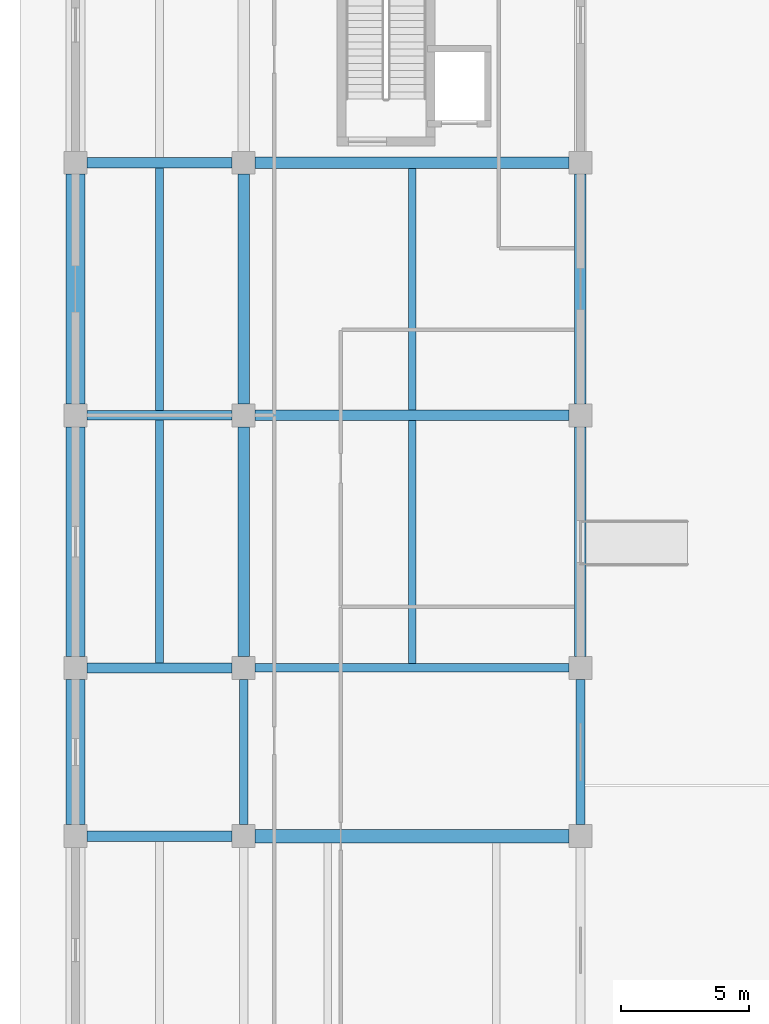
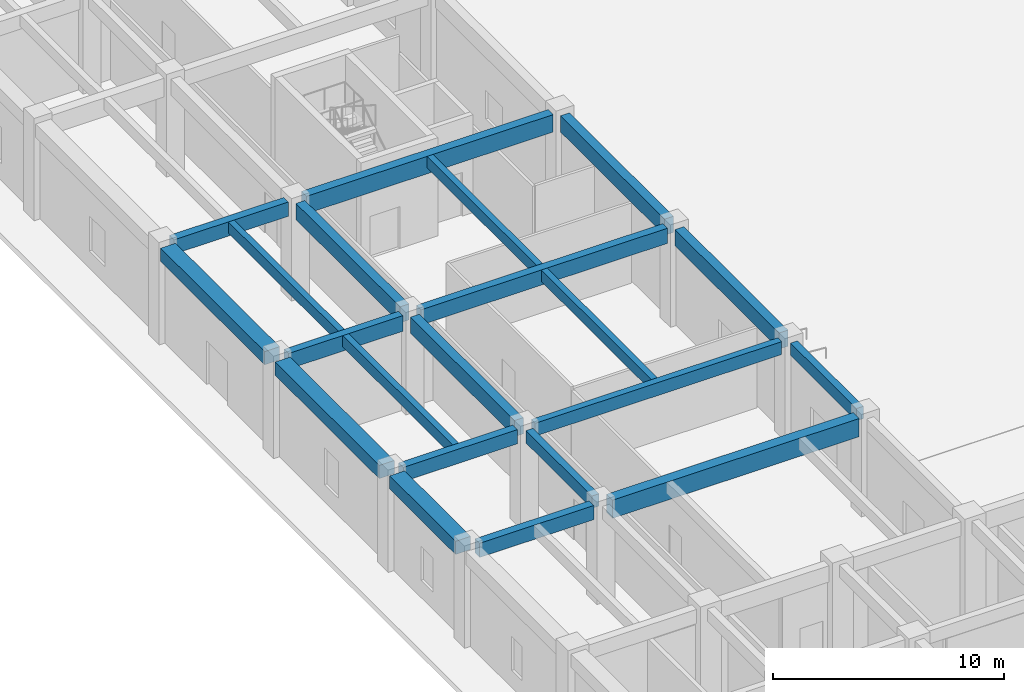
# One storey, part 13 of 70: 21 beams.
"""IFC4 building model written with IfcOpenShell, lengths in metres."""

import ifcopenshell
import ifcopenshell.guid

model = None  # the IFC model being written
_history = None  # IfcOwnerHistory: only IFC2X3 demands one
_inside = {}  # id of a spatial element -> (the spatial element, [elements in it])
_under = {}  # id of a project, library or spatial element -> (it, [spatial elements below it])
_declared = {}  # id of a project -> (the project, [libraries it declares])
_typed = {}  # id of a type object -> (the type object, [elements of that type])
_made_of = {}  # id of a material, layer set ... -> (it, [elements and type objects made of it])


def new_model(schema):
    """Start an empty IFC model of exactly this schema.

    Asked for "IFC4X3", IfcOpenShell would pick the latest addendum, in which some entities
    have other attributes; the version numbers below select the first issue.
    IFC2X3 requires an IfcOwnerHistory on every rooted entity: one is made here for all.
    """
    global model, _history
    if schema == "IFC4X3":
        model = ifcopenshell.file(schema_version=(4, 3, 0, 0))
    else:
        model = ifcopenshell.file(schema=schema)
    _inside.clear()
    _under.clear()
    _declared.clear()
    _typed.clear()
    _made_of.clear()
    _history = None
    if model.schema == "IFC2X3":
        org = make("IfcOrganization", Name="unknown")
        user = make(
            "IfcPersonAndOrganization",
            ThePerson=make("IfcPerson", FamilyName="unknown"),
            TheOrganization=org,
        )
        app = make(
            "IfcApplication",
            ApplicationDeveloper=org,
            Version="unknown",
            ApplicationFullName="unknown",
            ApplicationIdentifier="unknown",
        )
        _history = make(
            "IfcOwnerHistory",
            OwningUser=user,
            OwningApplication=app,
            ChangeAction="ADDED",
            CreationDate=0,
        )
    return model


def make(cls, **values):
    """One entity of the class cls with the attributes given. An attribute that is None is left unset."""
    return model.create_entity(
        cls, **{name: value for name, value in values.items() if value is not None}
    )


def rooted(cls, **values):
    """An entity with a GlobalId (a new one), such as an element, a storey or a relation."""
    return make(cls, GlobalId=ifcopenshell.guid.new(), OwnerHistory=_history, **values)


def si_unit(unit_type, name, prefix=None):
    """IfcSIUnit, for example si_unit("LENGTHUNIT", "METRE", prefix="MILLI")."""
    return make("IfcSIUnit", UnitType=unit_type, Prefix=prefix, Name=name)


def assignment(units):
    """IfcUnitAssignment: the units of a project."""
    return None if units is None else make("IfcUnitAssignment", Units=units)


def point(xyz):
    """IfcCartesianPoint."""
    return None if xyz is None else make("IfcCartesianPoint", Coordinates=xyz)


def direction(xyz):
    """IfcDirection."""
    return None if xyz is None else make("IfcDirection", DirectionRatios=xyz)


def frame(location, z_axis=None, x_axis=None):
    """IfcAxis2Placement3D, a coordinate frame: its origin and axes. An axis left out is left unset."""
    return make(
        "IfcAxis2Placement3D",
        Location=point(location),
        Axis=direction(z_axis),
        RefDirection=direction(x_axis),
    )


def frame_2d(location, x_axis=None):
    """IfcAxis2Placement2D, a coordinate frame in the plane: its origin and x axis."""
    return make(
        "IfcAxis2Placement2D", Location=point(location), RefDirection=direction(x_axis)
    )


def origin():
    """The frame at (0, 0, 0) with its axes left unset."""
    return frame((0.0, 0.0, 0.0))


def origin_2d():
    """The frame at (0, 0) in the plane with its x axis left unset."""
    return frame_2d((0.0, 0.0))


def place(relative_to, where):
    """IfcLocalPlacement: puts the frame where relative to a parent placement (None: the world)."""
    return make(
        "IfcLocalPlacement", PlacementRelTo=relative_to, RelativePlacement=where
    )


def context(
    kind, dimensions, precision=None, world=None, true_north=None, identifier=None
):
    """IfcGeometricRepresentationContext, for example the 3D "Model" context."""
    return make(
        "IfcGeometricRepresentationContext",
        ContextIdentifier=identifier,
        ContextType=kind,
        CoordinateSpaceDimension=dimensions,
        Precision=precision,
        WorldCoordinateSystem=world,
        TrueNorth=true_north,
    )


def subcontext(parent, identifier, kind, view, scale=None):
    """IfcGeometricRepresentationSubContext, for example "Body" below "Model"."""
    return make(
        "IfcGeometricRepresentationSubContext",
        ContextIdentifier=identifier,
        ContextType=kind,
        ParentContext=parent,
        TargetScale=scale,
        TargetView=view,
    )


def project(units=None, contexts=None):
    """IfcProject with its units and contexts."""
    return rooted(
        "IfcProject",
        Name="project",
        RepresentationContexts=contexts,
        UnitsInContext=assignment(units),
    )


def spatial(cls, under=None, at=None, **own):
    """A site, building, storey or space (cls), placed at a placement, below another one or the project."""
    s = rooted(cls, ObjectPlacement=at, **own)
    if under is not None:
        _under.setdefault(under.id(), (under, []))[1].append(s)
    return s


def profile(cls, at=None, kind="AREA", **sizes):
    """A parametric profile (cls). Its sizes go by their IFC names, for example OverallWidth=200.0."""
    return make(cls, ProfileType=kind, Position=at, **sizes)


def rectangle(**sizes):
    """IfcRectangleProfileDef."""
    return profile("IfcRectangleProfileDef", **sizes)


def extrude(swept, where, along, depth):
    """IfcExtrudedAreaSolid: the profile swept, set in the frame where, extruded along a direction by depth."""
    return make(
        "IfcExtrudedAreaSolid",
        SweptArea=swept,
        Position=where,
        ExtrudedDirection=direction(along),
        Depth=depth,
    )


def shape(context_of_items, identifier, shape_type, items):
    """IfcShapeRepresentation: the items that make up one representation, for example the "Body"."""
    return make(
        "IfcShapeRepresentation",
        ContextOfItems=context_of_items,
        RepresentationIdentifier=identifier,
        RepresentationType=shape_type,
        Items=items,
    )


def material(Name=None, Category=None):
    """IfcMaterial."""
    return make("IfcMaterial", Name=Name, Category=Category)


def material_profile(
    of_material, cross_section, Name=None, Category=None, Priority=None
):
    """IfcMaterialProfile: a cross section and its material."""
    return make(
        "IfcMaterialProfile",
        Name=Name,
        Material=of_material,
        Profile=cross_section,
        Priority=Priority,
        Category=Category,
    )


def profile_set(profiles, Name=None, composite=None):
    """IfcMaterialProfileSet."""
    return make(
        "IfcMaterialProfileSet",
        Name=Name,
        MaterialProfiles=profiles,
        CompositeProfile=composite,
    )


def made_of(thing, what):
    """Note that an element or type object is made of a material, layer set ...; save() writes the relation."""
    if what is not None:
        _made_of.setdefault(what.id(), (what, []))[1].append(thing)
    return thing


def type_object(cls, material=None, **own):
    """A type object (cls), such as IfcWallType, which elements share."""
    return made_of(rooted(cls, **own), material)


def element(
    cls,
    number,
    at=None,
    inside=None,
    cuts=None,
    type_object=None,
    material=None,
    context=None,
    identifier="Body",
    shape_type=None,
    held_by="IfcProductDefinitionShape",
    body=None,
    shapes=None,
    **own,
):
    """One element of the class cls, such as IfcWall. Its Tag is "e" and its number.

    at: its placement. inside: the storey or other place that contains it. cuts: it is an
    opening in that element (IfcRelVoidsElement). A single representation is given by context,
    identifier, shape_type and body (its items); several are given by shapes. held_by: the class
    of the entity that holds the representations. save() writes the other relations.
    """
    e = rooted(cls, Tag="e%d" % number, ObjectPlacement=at, **own)
    if body is not None:
        shapes = [shape(context, identifier, shape_type, body)]
    if shapes is not None:
        e.Representation = make(held_by, Representations=shapes)
    if inside is not None:
        _inside.setdefault(inside.id(), (inside, []))[1].append(e)
    if cuts is not None:
        rooted(
            "IfcRelVoidsElement", RelatingBuildingElement=cuts, RelatedOpeningElement=e
        )
    if type_object is not None:
        _typed.setdefault(type_object.id(), (type_object, []))[1].append(e)
    return made_of(e, material)


def aggregate(whole, parts):
    """IfcRelAggregates: a whole, such as a stair, and the parts it consists of."""
    return rooted("IfcRelAggregates", RelatingObject=whole, RelatedObjects=parts)


def save(model, path):
    """Write the relations noted so far, then the file.

    IfcRelAggregates (storeys below a building ...), IfcRelContainedInSpatialStructure (elements
    in a storey), IfcRelDefinesByType, IfcRelAssociatesMaterial and IfcRelDeclares: one each for
    every whole, place, type object, material and project.
    """
    for whole, parts in _under.values():
        aggregate(whole, parts)
    for where, things in _inside.values():
        rooted(
            "IfcRelContainedInSpatialStructure",
            RelatedElements=things,
            RelatingStructure=where,
        )
    for kind, things in _typed.values():
        rooted("IfcRelDefinesByType", RelatedObjects=things, RelatingType=kind)
    for what, things in _made_of.values():
        rooted("IfcRelAssociatesMaterial", RelatedObjects=things, RelatingMaterial=what)
    for by, libraries in _declared.values():
        rooted("IfcRelDeclares", RelatingContext=by, RelatedDefinitions=libraries)
    model.write(path)


model = new_model("IFC4")

# Units and contexts
model_context = context("Model", 3, precision=1e-05, world=origin(), true_north=direction((0.0, 1.0)))
body_context = subcontext(model_context, "Body", "Model", "MODEL_VIEW")
ifc_project = project(units=[si_unit("LENGTHUNIT", "METRE"), si_unit("AREAUNIT", "SQUARE_METRE"), si_unit("VOLUMEUNIT", "CUBIC_METRE"), si_unit("PLANEANGLEUNIT", "RADIAN"), si_unit("MASSUNIT", "GRAM", prefix="KILO")], contexts=[model_context])

# Site, building, storey
site_placement = place(None, origin())
site = spatial("IfcSite", under=ifc_project, at=site_placement, CompositionType="ELEMENT")
building_placement = place(site_placement, origin())
building = spatial("IfcBuilding", under=site, at=building_placement, Name="Miralva Faculty of Natural Sciences", CompositionType="ELEMENT")
storey_placement = place(building_placement, origin())
storey = spatial("IfcBuildingStorey", under=building, at=storey_placement, Name="L00", CompositionType="ELEMENT", Elevation=0.0)

# Beams
ifc_material = material(Name="Concrete C40/50", Category="concrete")
ifc_material_profile_1 = material_profile(ifc_material, rectangle(XDim=0.449951171875, YDim=0.85009765625, at=origin_2d()), Name="RC 450x850")
ifc_profile_set_1 = profile_set([ifc_material_profile_1], Name="Concrete C40/50")
beam_type_1 = type_object("IfcBeamType", Name="BM-B01", PredefinedType="BEAM", material=ifc_profile_set_1)
for number, where, z_axis, x_axis, name in (
    (1, (9.60009765625, 46.050048828125, 4.655029296875), (0.0, 1.0, 0.0), (-1.0, 0.0, 0.0), "Girder NS L00-129"),
    (2, (9.60009765625, 55.949951171875, 4.655029296875), (0.0, 1.0, 0.0), (-1.0, 0.0, 0.0), "Girder NS L00-130"),
    (3, (22.800048828125, 46.050048828125, 4.655029296875), (0.0, 1.0, 0.0), (-1.0, 0.0, 0.0), "Girder NS L00-145"),
    (4, (22.800048828125, 55.949951171875, 4.655029296875), (0.0, 1.0, 0.0), (-1.0, 0.0, 0.0), "Girder NS L00-146"),
):
    element("IfcBeam", number, at=place(storey_placement, frame(where, z_axis=z_axis, x_axis=x_axis)), inside=storey, type_object=beam_type_1, Name=name, PredefinedType="BEAM", context=body_context, shape_type="SweptSolid", body=[
        extrude(rectangle(XDim=0.449951171875, YDim=0.85009765625, at=origin_2d()), origin(), (0.0, 0.0, 1.0), 9.0),
    ])
ifc_material_profile_2 = material_profile(ifc_material, rectangle(XDim=0.39990234375, YDim=0.800048828125, at=origin_2d()), Name="RC 400x800")
ifc_profile_set_2 = profile_set([ifc_material_profile_2], Name="Concrete C40/50")
beam_type_2 = type_object("IfcBeamType", Name="BM-B02", PredefinedType="BEAM", material=ifc_profile_set_2)
beam_1_placement = place(storey_placement, frame((10.050048828125, 55.5, 4.679931640625), z_axis=(1.0, 0.0, 0.0), x_axis=(0.0, 1.0, 0.0)))
element("IfcBeam", 5, at=beam_1_placement, inside=storey, type_object=beam_type_2, Name="Girder EW L00-52", PredefinedType="BEAM", context=body_context, shape_type="SweptSolid", body=[
    extrude(rectangle(XDim=0.39990234375, YDim=0.800048828125, at=origin_2d()), origin(), (0.0, 0.0, 1.0), 12.300048828125),
])
ifc_material_profile_3 = material_profile(ifc_material, rectangle(XDim=0.39990234375, YDim=0.75, at=origin_2d()), Name="RC 400x750")
ifc_profile_set_3 = profile_set([ifc_material_profile_3], Name="Concrete C40/50")
beam_type_3 = type_object("IfcBeamType", Name="BM-B03", PredefinedType="BEAM", material=ifc_profile_set_3)
for number, where, z_axis, x_axis, name in (
    (6, (3.449951171875, 39.0, 4.705078125), (1.0, 0.0, 0.0), (0.0, 1.0, 0.0), "Girder EW L00-40"),
    (7, (3.449951171875, 45.60009765625, 4.705078125), (1.0, 0.0, 0.0), (0.0, 1.0, 0.0), "Girder EW L00-46"),
    (8, (3.449951171875, 65.39990234375, 4.705078125), (1.0, 0.0, 0.0), (0.0, 1.0, 0.0), "Girder EW L00-56"),
):
    element("IfcBeam", number, at=place(storey_placement, frame(where, z_axis=z_axis, x_axis=x_axis)), inside=storey, type_object=beam_type_3, Name=name, PredefinedType="BEAM", context=body_context, shape_type="SweptSolid", body=[
        extrude(rectangle(XDim=0.39990234375, YDim=0.75, at=origin_2d()), origin(), (0.0, 0.0, 1.0), 5.699951171875),
    ])
ifc_material_profile_4 = material_profile(ifc_material, rectangle(XDim=0.35009765625, YDim=0.64990234375, at=origin_2d()), Name="RC 350x650")
ifc_profile_set_4 = profile_set([ifc_material_profile_4], Name="Concrete C40/50")
beam_type_4 = type_object("IfcBeamType", Name="BM-B05", PredefinedType="BEAM", material=ifc_profile_set_4)
for number, where, z_axis, x_axis, name in (
    (9, (9.60009765625, 39.449951171875, 4.7548828125), (0.0, 1.0, 0.0), (-1.0, 0.0, 0.0), "Girder NS L00-128"),
    (10, (22.800048828125, 39.449951171875, 4.7548828125), (0.0, 1.0, 0.0), (-1.0, 0.0, 0.0), "Girder NS L00-144"),
):
    element("IfcBeam", number, at=place(storey_placement, frame(where, z_axis=z_axis, x_axis=x_axis)), inside=storey, type_object=beam_type_4, Name=name, PredefinedType="BEAM", context=body_context, shape_type="SweptSolid", body=[
        extrude(rectangle(XDim=0.35009765625, YDim=0.64990234375, at=origin_2d()), origin(), (0.0, 0.0, 1.0), 5.699951171875),
    ])
ifc_material_profile_5 = material_profile(ifc_material, rectangle(XDim=0.340087890625, YDim=0.679931640625, at=origin_2d()), Name="RC 340x680")
ifc_profile_set_5 = profile_set([ifc_material_profile_5], Name="Concrete C40/50")
beam_type_5 = type_object("IfcBeamType", Name="BM-BG04", PredefinedType="BEAM", material=ifc_profile_set_5)
beam_2_placement = place(storey_placement, frame((10.050048828125, 45.60009765625, 4.739990234375), z_axis=(1.0, 0.0, 0.0), x_axis=(0.0, 1.0, 0.0)))
element("IfcBeam", 11, at=beam_2_placement, inside=storey, type_object=beam_type_5, Name="Girder EW L00-47", PredefinedType="BEAM", context=body_context, shape_type="SweptSolid", body=[
    extrude(rectangle(XDim=0.340087890625, YDim=0.679931640625, at=origin_2d()), origin(), (0.0, 0.0, 1.0), 12.300048828125),
])
ifc_material_profile_6 = material_profile(ifc_material, rectangle(XDim=0.3798828125, YDim=0.820068359375, at=origin_2d()), Name="RC 380x820")
ifc_profile_set_6 = profile_set([ifc_material_profile_6], Name="Concrete C40/50")
beam_type_6 = type_object("IfcBeamType", Name="BM-BG08", PredefinedType="BEAM", material=ifc_profile_set_6)
beam_3_placement = place(storey_placement, frame((3.449951171875, 55.5, 4.669921875), z_axis=(1.0, 0.0, 0.0), x_axis=(0.0, 1.0, 0.0)))
element("IfcBeam", 12, at=beam_3_placement, inside=storey, type_object=beam_type_6, Name="Girder EW L00-51", PredefinedType="BEAM", context=body_context, shape_type="SweptSolid", body=[
    extrude(rectangle(XDim=0.3798828125, YDim=0.820068359375, at=origin_2d()), origin(), (0.0, 0.0, 1.0), 5.699951171875),
])
ifc_material_profile_7 = material_profile(ifc_material, rectangle(XDim=0.43994140625, YDim=0.919921875, at=origin_2d()), Name="RC 440x920")
ifc_profile_set_7 = profile_set([ifc_material_profile_7], Name="Concrete C40/50")
beam_type_7 = type_object("IfcBeamType", Name="BM-BG14", PredefinedType="BEAM", material=ifc_profile_set_7)
beam_4_placement = place(storey_placement, frame((10.050048828125, 65.39990234375, 4.6201171875), z_axis=(1.0, 0.0, 0.0), x_axis=(0.0, 1.0, 0.0)))
element("IfcBeam", 13, at=beam_4_placement, inside=storey, type_object=beam_type_7, Name="Girder EW L00-57", PredefinedType="BEAM", context=body_context, shape_type="SweptSolid", body=[
    extrude(rectangle(XDim=0.43994140625, YDim=0.919921875, at=origin_2d()), origin(), (0.0, 0.0, 1.0), 12.300048828125),
])
ifc_material_profile_8 = material_profile(ifc_material, rectangle(XDim=0.52001953125, YDim=0.9599609375, at=origin_2d()), Name="RC 520x960")
ifc_profile_set_8 = profile_set([ifc_material_profile_8], Name="Concrete C40/50")
beam_type_8 = type_object("IfcBeamType", Name="BM-BG20", PredefinedType="BEAM", material=ifc_profile_set_8)
beam_5_placement = place(storey_placement, frame((10.050048828125, 39.0, 4.60009765625), z_axis=(1.0, 0.0, 0.0), x_axis=(0.0, 1.0, 0.0)))
element("IfcBeam", 14, at=beam_5_placement, inside=storey, type_object=beam_type_8, Name="Girder EW L00-41", PredefinedType="BEAM", context=body_context, shape_type="SweptSolid", body=[
    extrude(rectangle(XDim=0.52001953125, YDim=0.9599609375, at=origin_2d()), origin(), (0.0, 0.0, 1.0), 12.300048828125),
])
ifc_material_profile_9 = material_profile(ifc_material, rectangle(XDim=0.300048828125, YDim=0.60009765625, at=origin_2d()), Name="RC 300x600")
ifc_profile_set_9 = profile_set([ifc_material_profile_9], Name="Concrete C40/50")
beam_type_9 = type_object("IfcBeamType", Name="BM-J01", PredefinedType="JOIST", material=ifc_profile_set_9)
beam_6_placement = place(storey_placement, frame((6.300048828125, 45.800048828125, 4.780029296875), z_axis=(0.0, 1.0, 0.0), x_axis=(-1.0, 0.0, 0.0)))
element("IfcBeam", 15, at=beam_6_placement, inside=storey, type_object=beam_type_9, Name="Floor joist L00-12", PredefinedType="JOIST", context=body_context, shape_type="SweptSolid", body=[
    extrude(rectangle(XDim=0.300048828125, YDim=0.60009765625, at=origin_2d()), origin(), (0.0, 0.0, 1.0), 9.510009765625),
])
beam_7_placement = place(storey_placement, frame((16.199951171875, 45.77001953125, 4.780029296875), z_axis=(0.0, 1.0, 0.0), x_axis=(-1.0, 0.0, 0.0)))
element("IfcBeam", 16, at=beam_7_placement, inside=storey, type_object=beam_type_9, Name="Floor joist L00-13", PredefinedType="JOIST", context=body_context, shape_type="SweptSolid", body=[
    extrude(rectangle(XDim=0.300048828125, YDim=0.60009765625, at=origin_2d()), origin(), (0.0, 0.0, 1.0), 9.530029296875),
])
beam_8_placement = place(storey_placement, frame((6.300048828125, 55.68994140625, 4.780029296875), z_axis=(0.0, 1.0, 0.0), x_axis=(-1.0, 0.0, 0.0)))
element("IfcBeam", 17, at=beam_8_placement, inside=storey, type_object=beam_type_9, Name="Floor joist L00-17", PredefinedType="JOIST", context=body_context, shape_type="SweptSolid", body=[
    extrude(rectangle(XDim=0.300048828125, YDim=0.60009765625, at=origin_2d()), origin(), (0.0, 0.0, 1.0), 9.510009765625),
])
beam_9_placement = place(storey_placement, frame((16.199951171875, 55.699951171875, 4.780029296875), z_axis=(0.0, 1.0, 0.0), x_axis=(-1.0, 0.0, 0.0)))
element("IfcBeam", 18, at=beam_9_placement, inside=storey, type_object=beam_type_9, Name="Floor joist L00-18", PredefinedType="JOIST", context=body_context, shape_type="SweptSolid", body=[
    extrude(rectangle(XDim=0.300048828125, YDim=0.60009765625, at=origin_2d()), origin(), (0.0, 0.0, 1.0), 9.47998046875),
])
ifc_material_profile_10 = material_profile(ifc_material, rectangle(XDim=0.75, YDim=0.699951171875, at=origin_2d()), Name="RC 750x700")
ifc_profile_set_10 = profile_set([ifc_material_profile_10], Name="Concrete C40/50")
beam_type_10 = type_object("IfcBeamType", Name="BM-SP01", PredefinedType="SPANDREL", material=ifc_profile_set_10)
beam_10_placement = place(storey_placement, frame((3.0, 39.449951171875, 4.72998046875), z_axis=(0.0, 1.0, 0.0), x_axis=(-1.0, 0.0, 0.0)))
element("IfcBeam", 19, at=beam_10_placement, inside=storey, type_object=beam_type_10, Name="Girder NS L00-115", PredefinedType="SPANDREL", context=body_context, shape_type="SweptSolid", body=[
    extrude(rectangle(XDim=0.75, YDim=0.699951171875, at=origin_2d()), origin(), (0.0, 0.0, 1.0), 5.699951171875),
])
for number, where, z_axis, x_axis, name in (
    (20, (3.0, 46.050048828125, 4.72998046875), (0.0, 1.0, 0.0), (-1.0, 0.0, 0.0), "Girder NS L00-116"),
    (21, (3.0, 55.949951171875, 4.72998046875), (0.0, 1.0, 0.0), (-1.0, 0.0, 0.0), "Girder NS L00-117"),
):
    element("IfcBeam", number, at=place(storey_placement, frame(where, z_axis=z_axis, x_axis=x_axis)), inside=storey, type_object=beam_type_10, Name=name, PredefinedType="SPANDREL", context=body_context, shape_type="SweptSolid", body=[
        extrude(rectangle(XDim=0.75, YDim=0.699951171875, at=origin_2d()), origin(), (0.0, 0.0, 1.0), 9.0),
    ])

save(model, "model.ifc")
